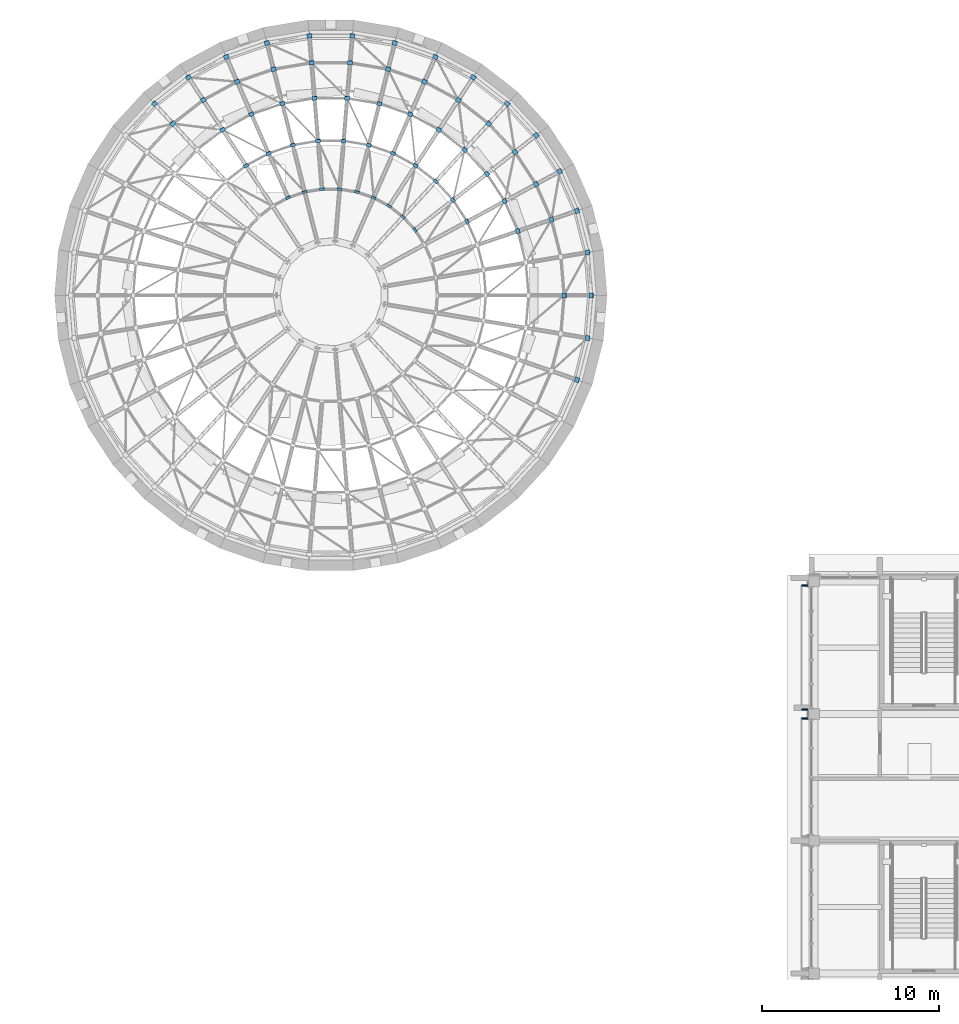
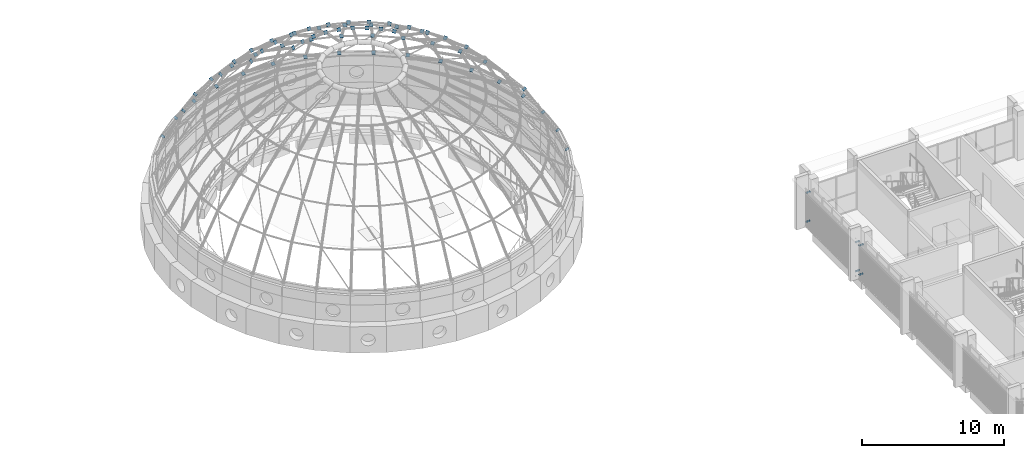
# One storey, part 65 of 98: 69 discrete accessories.
"""IFC4 building model written with IfcOpenShell, lengths in metres."""

from ifc_helpers import new_model, si_unit, direction, frame, origin, origin_2d, place, context, subcontext, project, spatial, rectangle, extrude, material, material_profile, profile_set, type_object, element, save


model = new_model("IFC4")

# Units and contexts
model_context = context("Model", 3, precision=1e-05, world=origin(), true_north=direction((0.0, 1.0)))
body_context = subcontext(model_context, "Body", "Model", "MODEL_VIEW")
ifc_project = project(units=[si_unit("LENGTHUNIT", "METRE"), si_unit("AREAUNIT", "SQUARE_METRE"), si_unit("VOLUMEUNIT", "CUBIC_METRE"), si_unit("PLANEANGLEUNIT", "RADIAN"), si_unit("MASSUNIT", "GRAM", prefix="KILO")], contexts=[model_context])

# Site, building, storey
site_placement = place(None, origin())
site = spatial("IfcSite", under=ifc_project, at=site_placement, CompositionType="ELEMENT")
building_placement = place(site_placement, origin())
building = spatial("IfcBuilding", under=site, at=building_placement, Name="Sun Court Science Centre", CompositionType="ELEMENT")
storey_placement = place(building_placement, frame((0.0, 0.0, 15.75)))
storey = spatial("IfcBuildingStorey", under=building, at=storey_placement, Name="L03", CompositionType="ELEMENT", Elevation=15.75)

# Discrete accessories
ifc_material_1 = material(Name="Steel S355", Category="steel")
ifc_material_profile = material_profile(ifc_material_1, rectangle(XDim=0.280029296875, YDim=0.280029296875, at=origin_2d()), Name="PL 280x280")
ifc_profile_set = profile_set([ifc_material_profile], Name="Steel S355")
discrete_accessory_type_1 = type_object("IfcDiscreteAccessoryType", Name="Dome node plate 280x280x20", PredefinedType="BRACKET", material=ifc_profile_set)
for number, where, z_axis, x_axis, name in (
    (1, (65.50341796875, 99.22021484375, 4.341552734375), (-0.51261459463, -0.085435765772, 0.854357657717), (0.164398987305, -0.986393923832, 0.0), "Dome node plate 1"),
    (2, (64.9072265625, 101.574462890625, 4.341552734375), (-0.488823716738, -0.171088300858, 0.855441504291), (0.330350424728, -0.943858356366, 0.0), "Dome node plate 7"),
    (3, (63.46337890625, 101.07861328125, 6.864990234375), (-0.498041020004, -0.170062787318, 0.850313936592), (0.323143853292, -0.946349856068, 0.0), "Dome node plate 8"),
    (4, (61.566162109375, 100.427490234375, 9.200439453125), (-0.612311207636, -0.220432034749, 0.759265897469), (0.338719468273, -0.940887411869, 0.0), "Dome node plate 9"),
    (5, (63.931640625, 103.79833984375, 4.341552734375), (-0.453076320995, -0.244906119457, 0.857171418099), (0.475517034365, -0.879706513576, 0.0), "Dome node plate 12"),
    (6, (62.589111328125, 103.07177734375, 6.864990234375), (-0.461326784783, -0.254943749485, 0.849812498284), (0.48368611169, -0.875241535439, 0.0), "Dome node plate 13"),
    (7, (60.824951171875, 102.116943359375, 9.200439453125), (-0.575141426935, -0.305926290923, 0.758697201488), (0.469612972978, -0.882872389199, 0.0), "Dome node plate 14"),
    (8, (58.702880859375, 100.96875, 11.112060546875), (-0.684251023036, -0.378781816324, 0.623157181694), (0.484315883017, -0.87489320803, 0.0), "Dome node plate 15"),
    (9, (62.603515625, 105.831298828125, 4.341552734375), (-0.414387707005, -0.316884717122, 0.853151161482), (0.607450107571, -0.794357832977, 0.0), "Dome node plate 18"),
    (10, (61.398681640625, 104.8935546875, 6.864990234375), (-0.40421633776, -0.318473478235, 0.857428595248), (0.618872226604, -0.785491672228, 0.0), "Dome node plate 19"),
    (11, (59.81591796875, 103.66162109375, 9.200439453125), (-0.513226580635, -0.403249456213, 0.757620190461), (0.617821551932, -0.786318338822, 0.0), "Dome node plate 20"),
    (12, (57.911865234375, 102.1796875, 11.112060546875), (-0.618374913041, -0.484999931797, 0.618374913041), (0.617139935181, -0.786853417356, 0.0), "Dome node plate 21"),
):
    element("IfcDiscreteAccessory", number, at=place(storey_placement, frame(where, z_axis=z_axis, x_axis=x_axis)), inside=storey, type_object=discrete_accessory_type_1, Name=name, PredefinedType="BRACKET", context=body_context, shape_type="SweptSolid", body=[
        extrude(rectangle(XDim=0.280029296875, YDim=0.280029296875, at=origin_2d()), origin(), (0.0, 0.0, 1.0), 0.02001953125),
    ])
discrete_accessory_1_placement = place(storey_placement, frame((55.755615234375, 100.50146484375, 12.5302734375), z_axis=(-0.701652833227, -0.544385818883, 0.45970358039), x_axis=(0.612997102877, -0.790085154819, 0.0)))
element("IfcDiscreteAccessory", 13, at=discrete_accessory_1_placement, inside=storey, type_object=discrete_accessory_type_1, Name="Dome node plate 22", PredefinedType="BRACKET", context=body_context, shape_type="SweptSolid", body=[
    extrude(rectangle(XDim=0.280029296875, YDim=0.280029296875, at=origin_2d()), origin(), (0.0, 0.0, 1.0), 0.020263671875),
])
for number, where, z_axis, x_axis, name in (
    (14, (60.958740234375, 107.6181640625, 4.341552734375), (-0.352585215334, -0.389059547955, 0.851067761152), (0.740986951436, -0.671519424739, 0.0), "Dome node plate 23"),
    (15, (59.9248046875, 106.494873046875, 6.864990234375), (-0.354238521157, -0.378668763996, 0.855058499345), (0.730271413519, -0.683157128776, 0.0), "Dome node plate 24"),
    (16, (58.566162109375, 105.01904296875, 9.200439453125), (-0.44109565921, -0.47785363081, 0.759664746416), (0.734803444627, -0.678280102733, 0.0), "Dome node plate 25"),
    (17, (56.93212890625, 103.243896484375, 11.112060546875), (-0.535709697438, -0.572235358627, 0.620936240212), (0.730021398632, -0.683424288081, 0.0), "Dome node plate 26"),
    (18, (55.08154296875, 101.233642578125, 12.5302734375), (-0.600695919427, -0.649732321013, 0.465845815066), (0.734272068275, -0.678855308406, 0.0), "Dome node plate 27"),
    (19, (59.042236328125, 109.109619140625, 4.341552734375), (-0.281959309119, -0.429068513877, 0.858137027753), (0.835705479701, -0.549177886661, 0.0), "Dome node plate 29"),
    (20, (58.207275390625, 107.83154296875, 6.864990234375), (-0.281959309119, -0.429068513877, 0.858137027753), (0.835705479701, -0.549177886661, 0.0), "Dome node plate 30"),
    (21, (57.1103515625, 106.15234375, 9.200439453125), (-0.367056588174, -0.538349662656, 0.75858361556), (0.826227342808, -0.563336824642, 0.0), "Dome node plate 31"),
):
    element("IfcDiscreteAccessory", number, at=place(storey_placement, frame(where, z_axis=z_axis, x_axis=x_axis)), inside=storey, type_object=discrete_accessory_type_1, Name=name, PredefinedType="BRACKET", context=body_context, shape_type="SweptSolid", body=[
        extrude(rectangle(XDim=0.280029296875, YDim=0.280029296875, at=origin_2d()), origin(), (0.0, 0.0, 1.0), 0.02001953125),
    ])
discrete_accessory_2_placement = place(storey_placement, frame((55.79052734375, 104.13232421875, 11.112060546875), z_axis=(-0.429682415449, -0.650661943394, 0.626108662512), x_axis=(0.834464609752, -0.551061534742, 0.0)))
element("IfcDiscreteAccessory", 22, at=discrete_accessory_2_placement, inside=storey, type_object=discrete_accessory_type_1, Name="Dome node plate 32", PredefinedType="BRACKET", context=body_context, shape_type="SweptSolid", body=[
    extrude(rectangle(XDim=0.280029296875, YDim=0.280029296875, at=origin_2d()), origin(), (0.0, 0.0, 1.0), 0.019775390625),
])
discrete_accessory_3_placement = place(storey_placement, frame((54.296142578125, 101.844970703125, 12.5302734375), z_axis=(-0.486324434944, -0.74164476329, 0.462008213197), x_axis=(0.836244367386, -0.54835696222, 0.0)))
element("IfcDiscreteAccessory", 23, at=discrete_accessory_3_placement, inside=storey, type_object=discrete_accessory_type_1, Name="Dome node plate 33", PredefinedType="BRACKET", context=body_context, shape_type="SweptSolid", body=[
    extrude(rectangle(XDim=0.280029296875, YDim=0.280029296875, at=origin_2d()), origin(), (0.0, 0.0, 1.0), 0.02001953125),
])
discrete_accessory_4_placement = place(storey_placement, frame((56.906494140625, 110.265380859375, 4.341552734375), z_axis=(-0.20873434946, -0.4665826635, 0.859494380131), x_axis=(0.912818251895, -0.408366060058, 0.0)))
element("IfcDiscreteAccessory", 24, at=discrete_accessory_4_placement, inside=storey, type_object=discrete_accessory_type_1, Name="Dome node plate 34", PredefinedType="BRACKET", context=body_context, shape_type="SweptSolid", body=[
    extrude(rectangle(XDim=0.280029296875, YDim=0.280029296875, at=origin_2d()), origin(), (0.0, 0.0, 1.0), 0.019775390625),
])
for number, where, z_axis, x_axis, name in (
    (25, (56.293212890625, 108.867431640625, 6.864990234375), (-0.207533237602, -0.476105662733, 0.854548625418), (0.916695964708, -0.399585420514, 0.0), "Dome node plate 35"),
    (26, (55.487548828125, 107.030517578125, 9.200439453125), (-0.256824297357, -0.599256693833, 0.758243163625), (0.919145030018, -0.393919298579, 0.0), "Dome node plate 36"),
):
    element("IfcDiscreteAccessory", number, at=place(storey_placement, frame(where, z_axis=z_axis, x_axis=x_axis)), inside=storey, type_object=discrete_accessory_type_1, Name=name, PredefinedType="BRACKET", context=body_context, shape_type="SweptSolid", body=[
        extrude(rectangle(XDim=0.280029296875, YDim=0.280029296875, at=origin_2d()), origin(), (0.0, 0.0, 1.0), 0.02001953125),
    ])
for number, where, z_axis, x_axis, name in (
    (27, (54.518310546875, 104.82080078125, 11.112060546875), (-0.319048427062, -0.711723414214, 0.625825760774), (0.912509324515, -0.409055904093, 0.0), "Dome node plate 37"),
    (28, (53.420654296875, 102.318603515625, 12.5302734375), (-0.355861707107, -0.809892161002, 0.466301547244), (0.915519454023, -0.402273699495, 0.0), "Dome node plate 38"),
):
    element("IfcDiscreteAccessory", number, at=place(storey_placement, frame(where, z_axis=z_axis, x_axis=x_axis)), inside=storey, type_object=discrete_accessory_type_1, Name=name, PredefinedType="BRACKET", context=body_context, shape_type="SweptSolid", body=[
        extrude(rectangle(XDim=0.280029296875, YDim=0.280029296875, at=origin_2d()), origin(), (0.0, 0.0, 1.0), 0.019775390625),
    ])
for number, where, z_axis, x_axis, name in (
    (29, (54.609619140625, 111.053955078125, 4.341552734375), (-0.122343038988, -0.50160645985, 0.856401272914), (0.971520338783, -0.236956180191, 0.0), "Dome node plate 40"),
    (30, (54.23486328125, 109.573974609375, 6.864990234375), (-0.134366335611, -0.500819978188, 0.855058499345), (0.965842837235, -0.259128566087, 0.0), "Dome node plate 41"),
    (31, (53.742431640625, 107.629638671875, 9.200439453125), (-0.158619171872, -0.634476687487, 0.756491435081), (0.970142500145, -0.242535625036, 0.0), "Dome node plate 42"),
    (32, (53.150146484375, 105.29052734375, 11.112060546875), (-0.195456525206, -0.757394035175, 0.623017674096), (0.968277323709, -0.249878019022, 0.0), "Dome node plate 43"),
):
    element("IfcDiscreteAccessory", number, at=place(storey_placement, frame(where, z_axis=z_axis, x_axis=x_axis)), inside=storey, type_object=discrete_accessory_type_1, Name=name, PredefinedType="BRACKET", context=body_context, shape_type="SweptSolid", body=[
        extrude(rectangle(XDim=0.280029296875, YDim=0.280029296875, at=origin_2d()), origin(), (0.0, 0.0, 1.0), 0.02001953125),
    ])
discrete_accessory_5_placement = place(storey_placement, frame((52.479248046875, 102.641845703125, 12.5302734375), z_axis=(-0.20873434946, -0.859494380131, 0.4665826635), x_axis=(0.971753703944, -0.235997328101, 0.0)))
element("IfcDiscreteAccessory", 33, at=discrete_accessory_5_placement, inside=storey, type_object=discrete_accessory_type_1, Name="Dome node plate 44", PredefinedType="BRACKET", context=body_context, shape_type="SweptSolid", body=[
    extrude(rectangle(XDim=0.280029296875, YDim=0.280029296875, at=origin_2d()), origin(), (0.0, 0.0, 1.0), 0.019775390625),
])
for number, where, z_axis, x_axis, name in (
    (34, (52.21435546875, 111.45361328125, 4.341552734375), (-0.048940878423, -0.513879223444, 0.856465372407), (0.995495472594, -0.094809092628, 0.0), "Dome node plate 45"),
    (35, (52.088134765625, 109.93212890625, 6.864990234375), (-0.036724905952, -0.514148683335, 0.856914472225), (0.997458699831, -0.071247049988, 0.0), "Dome node plate 46"),
    (36, (51.922607421875, 107.933349609375, 9.200439453125), (-0.061185258185, -0.648563736756, 0.758697201488), (0.995579502714, -0.093922594596, 0.0), "Dome node plate 47"),
    (37, (51.723388671875, 105.52880859375, 11.112060546875), (-0.073121811701, -0.779965991482, 0.621535399462), (0.995634226059, -0.093340708693, 0.0), "Dome node plate 48"),
    (38, (51.49755859375, 102.8056640625, 12.5302734375), (-0.073499393633, -0.88199272359, 0.465496159673), (0.996545758245, -0.083045479854, 0.0), "Dome node plate 49"),
    (39, (49.78564453125, 111.45361328125, 4.341552734375), (0.048940878423, -0.513879223444, 0.856465372407), (0.995495472594, 0.094809092628, 0.0), "Dome node plate 51"),
    (40, (49.911865234375, 109.93212890625, 6.864990234375), (0.036724905952, -0.514148683335, 0.856914472225), (0.997458699831, 0.071247049988, 0.0), "Dome node plate 52"),
    (41, (50.077392578125, 107.933349609375, 9.200439453125), (0.061185258185, -0.648563736756, 0.758697201488), (0.995579502714, 0.093922594596, 0.0), "Dome node plate 53"),
    (42, (50.276611328125, 105.52880859375, 11.112060546875), (0.073121811701, -0.779965991482, 0.621535399462), (0.995634226059, 0.093340708693, 0.0), "Dome node plate 54"),
    (43, (50.50244140625, 102.8056640625, 12.5302734375), (0.073499393633, -0.88199272359, 0.465496159673), (0.996545758245, 0.083045479854, 0.0), "Dome node plate 55"),
    (44, (47.390380859375, 111.053955078125, 4.341552734375), (0.122343038988, -0.50160645985, 0.856401272914), (0.971520338783, 0.236956180191, 0.0), "Dome node plate 56"),
    (45, (47.76513671875, 109.573974609375, 6.864990234375), (0.134366335611, -0.500819978188, 0.855058499345), (0.965842837235, 0.259128566087, 0.0), "Dome node plate 57"),
    (46, (48.257568359375, 107.629638671875, 9.200439453125), (0.158619171872, -0.634476687487, 0.756491435081), (0.970142500145, 0.242535625036, 0.0), "Dome node plate 58"),
    (47, (48.849853515625, 105.29052734375, 11.112060546875), (0.195456525206, -0.757394035175, 0.623017674096), (0.968277323709, 0.249878019022, 0.0), "Dome node plate 59"),
):
    element("IfcDiscreteAccessory", number, at=place(storey_placement, frame(where, z_axis=z_axis, x_axis=x_axis)), inside=storey, type_object=discrete_accessory_type_1, Name=name, PredefinedType="BRACKET", context=body_context, shape_type="SweptSolid", body=[
        extrude(rectangle(XDim=0.280029296875, YDim=0.280029296875, at=origin_2d()), origin(), (0.0, 0.0, 1.0), 0.02001953125),
    ])
for number, where, z_axis, x_axis, name in (
    (48, (49.520751953125, 102.641845703125, 12.5302734375), (0.20873434946, -0.859494380131, 0.4665826635), (0.971753703944, 0.235997328101, 0.0), "Dome node plate 60"),
    (49, (45.093505859375, 110.265380859375, 4.341552734375), (0.20873434946, -0.4665826635, 0.859494380131), (0.912818251895, 0.408366060058, 0.0), "Dome node plate 62"),
):
    element("IfcDiscreteAccessory", number, at=place(storey_placement, frame(where, z_axis=z_axis, x_axis=x_axis)), inside=storey, type_object=discrete_accessory_type_1, Name=name, PredefinedType="BRACKET", context=body_context, shape_type="SweptSolid", body=[
        extrude(rectangle(XDim=0.280029296875, YDim=0.280029296875, at=origin_2d()), origin(), (0.0, 0.0, 1.0), 0.019775390625),
    ])
for number, where, z_axis, x_axis, name in (
    (50, (45.706787109375, 108.867431640625, 6.864990234375), (0.207533237602, -0.476105662733, 0.854548625418), (0.916695964708, 0.399585420514, 0.0), "Dome node plate 63"),
    (51, (46.512451171875, 107.030517578125, 9.200439453125), (0.256824297357, -0.599256693833, 0.758243163625), (0.919145030018, 0.393919298579, 0.0), "Dome node plate 64"),
):
    element("IfcDiscreteAccessory", number, at=place(storey_placement, frame(where, z_axis=z_axis, x_axis=x_axis)), inside=storey, type_object=discrete_accessory_type_1, Name=name, PredefinedType="BRACKET", context=body_context, shape_type="SweptSolid", body=[
        extrude(rectangle(XDim=0.280029296875, YDim=0.280029296875, at=origin_2d()), origin(), (0.0, 0.0, 1.0), 0.02001953125),
    ])
for number, where, z_axis, x_axis, name in (
    (52, (47.481689453125, 104.82080078125, 11.112060546875), (0.319048427062, -0.711723414214, 0.625825760774), (0.912509324515, 0.409055904093, 0.0), "Dome node plate 65"),
    (53, (48.579345703125, 102.318603515625, 12.5302734375), (0.355861707107, -0.809892161002, 0.466301547244), (0.915519454023, 0.402273699495, 0.0), "Dome node plate 66"),
):
    element("IfcDiscreteAccessory", number, at=place(storey_placement, frame(where, z_axis=z_axis, x_axis=x_axis)), inside=storey, type_object=discrete_accessory_type_1, Name=name, PredefinedType="BRACKET", context=body_context, shape_type="SweptSolid", body=[
        extrude(rectangle(XDim=0.280029296875, YDim=0.280029296875, at=origin_2d()), origin(), (0.0, 0.0, 1.0), 0.019775390625),
    ])
for number, where, z_axis, x_axis, name in (
    (54, (42.957763671875, 109.109619140625, 4.341552734375), (0.281959309119, -0.429068513877, 0.858137027753), (0.835705479701, 0.549177886661, 0.0), "Dome node plate 67"),
    (55, (43.792724609375, 107.83154296875, 6.864990234375), (0.281959309119, -0.429068513877, 0.858137027753), (0.835705479701, 0.549177886661, 0.0), "Dome node plate 68"),
    (56, (44.8896484375, 106.15234375, 9.200439453125), (0.367056588174, -0.538349662656, 0.75858361556), (0.826227342808, 0.563336824642, 0.0), "Dome node plate 69"),
):
    element("IfcDiscreteAccessory", number, at=place(storey_placement, frame(where, z_axis=z_axis, x_axis=x_axis)), inside=storey, type_object=discrete_accessory_type_1, Name=name, PredefinedType="BRACKET", context=body_context, shape_type="SweptSolid", body=[
        extrude(rectangle(XDim=0.280029296875, YDim=0.280029296875, at=origin_2d()), origin(), (0.0, 0.0, 1.0), 0.02001953125),
    ])
discrete_accessory_6_placement = place(storey_placement, frame((46.20947265625, 104.13232421875, 11.112060546875), z_axis=(0.429682415449, -0.650661943394, 0.626108662512), x_axis=(0.834464609752, 0.551061534742, 0.0)))
element("IfcDiscreteAccessory", 57, at=discrete_accessory_6_placement, inside=storey, type_object=discrete_accessory_type_1, Name="Dome node plate 70", PredefinedType="BRACKET", context=body_context, shape_type="SweptSolid", body=[
    extrude(rectangle(XDim=0.280029296875, YDim=0.280029296875, at=origin_2d()), origin(), (0.0, 0.0, 1.0), 0.019775390625),
])
for number, where, z_axis, x_axis, name in (
    (58, (41.041259765625, 107.6181640625, 4.341552734375), (0.352585215334, -0.389059547955, 0.851067761152), (0.740986951436, 0.671519424739, 0.0), "Dome node plate 73"),
    (59, (42.0751953125, 106.494873046875, 6.864990234375), (0.354238521157, -0.378668763996, 0.855058499345), (0.730271413519, 0.683157128776, 0.0), "Dome node plate 74"),
    (60, (64.9072265625, 92.025634765625, 4.341552734375), (-0.488823716738, 0.171088300858, 0.855441504291), (-0.330350424728, -0.943858356366, 0.0), "Dome node plate 194"),
    (61, (65.50341796875, 94.3798828125, 4.341552734375), (-0.51261459463, 0.085435765772, 0.854357657717), (-0.164398987305, -0.986393923832, 0.0), "Dome node plate 199"),
    (62, (65.703857421875, 96.800048828125, 4.341552734375), (-0.514495755428, 0.0, 0.857492925713), (0.0, -1.0, 0.0), "Dome node plate 205"),
    (63, (64.17724609375, 96.800048828125, 6.864990234375), (-0.514495755428, 0.0, 0.857492925713), (0.0, -1.0, 0.0), "Dome node plate 206"),
):
    element("IfcDiscreteAccessory", number, at=place(storey_placement, frame(where, z_axis=z_axis, x_axis=x_axis)), inside=storey, type_object=discrete_accessory_type_1, Name=name, PredefinedType="BRACKET", context=body_context, shape_type="SweptSolid", body=[
        extrude(rectangle(XDim=0.280029296875, YDim=0.280029296875, at=origin_2d()), origin(), (0.0, 0.0, 1.0), 0.02001953125),
    ])
ifc_material_2 = material(Name="Stainless steel", Category="steel")
discrete_accessory_type_2 = type_object("IfcDiscreteAccessoryType", Name="Jali screen bracket", PredefinedType="BRACKET", material=ifc_material_2)
for number, where, z_axis, x_axis, name in (
    (64, (77.760009765625, 72.89990234375, 0.659912109375), (0.0, 0.0, 1.0), (0.0, 1.0, 0.0), "Jali screen bracket west face L03 08"),
    (65, (77.760009765625, 72.89990234375, 3.159912109375), (0.0, 0.0, 1.0), (0.0, 1.0, 0.0), "Jali screen bracket west face L03 08"),
    (66, (77.760009765625, 73.39990234375, 0.659912109375), (0.0, 0.0, 1.0), (0.0, 1.0, 0.0), "Jali screen bracket west face L03 09"),
    (67, (77.760009765625, 80.39990234375, 0.659912109375), (0.0, 0.0, 1.0), (0.0, 1.0, 0.0), "Jali screen bracket west face L03 09"),
    (68, (77.760009765625, 73.39990234375, 3.159912109375), (0.0, 0.0, 1.0), (0.0, 1.0, 0.0), "Jali screen bracket west face L03 09"),
    (69, (77.760009765625, 80.39990234375, 3.159912109375), (0.0, 0.0, 1.0), (0.0, 1.0, 0.0), "Jali screen bracket west face L03 09"),
):
    element("IfcDiscreteAccessory", number, at=place(storey_placement, frame(where, z_axis=z_axis, x_axis=x_axis)), inside=storey, type_object=discrete_accessory_type_2, Name=name, PredefinedType="BRACKET", context=body_context, shape_type="SweptSolid", body=[
        extrude(rectangle(XDim=0.080078125, YDim=0.320068359375, at=origin_2d()), origin(), (0.0, 0.0, 1.0), 0.080078125),
    ])

save(model, "model.ifc")
